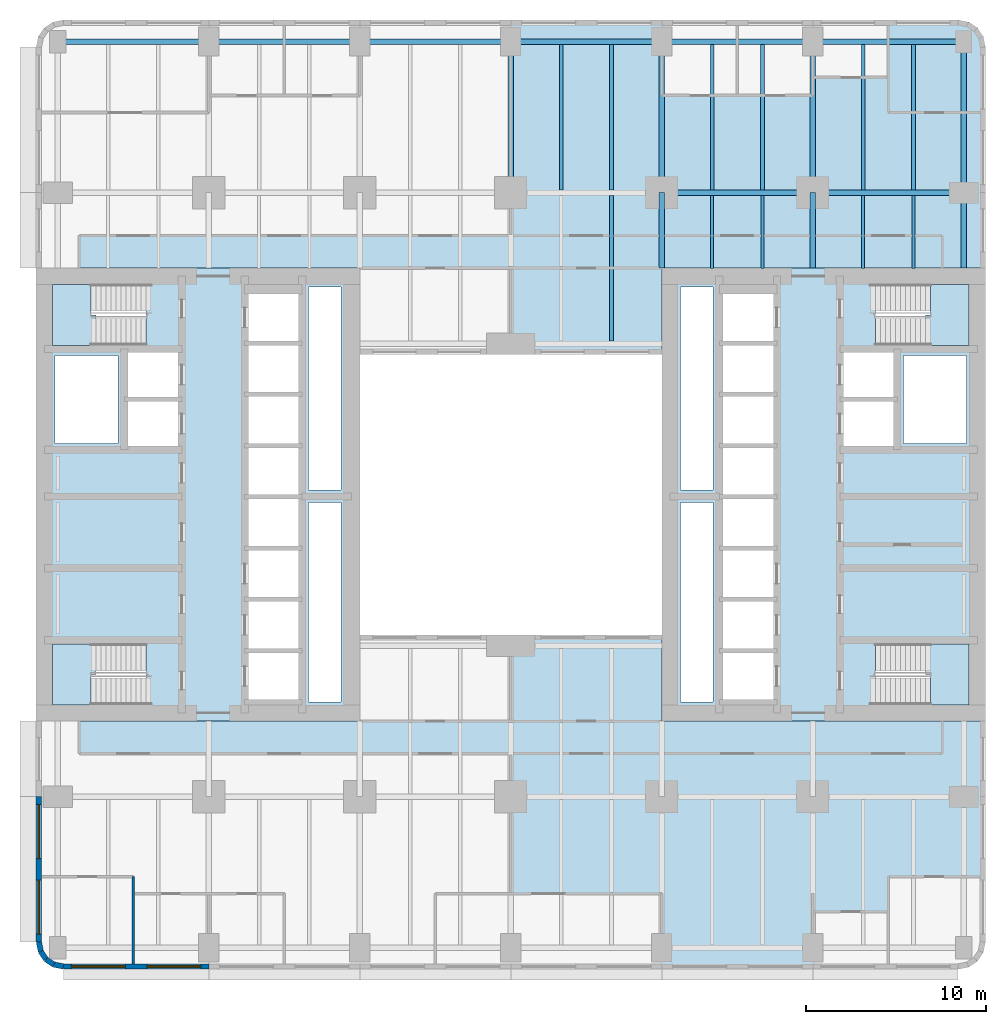
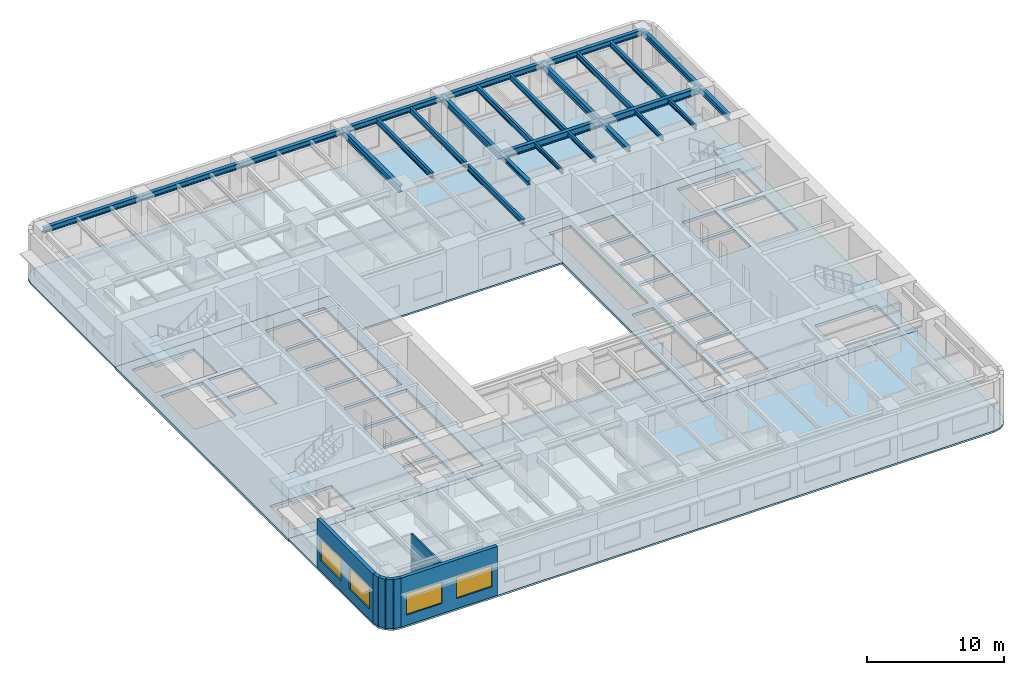
# One storey, part 2 of 12: 26 beams, 8 slabs, 7 walls, 4 windows, 4 openings, 4 elements without a shape of their own.
"""IFC4 building model written with IfcOpenShell, lengths in metres."""

from ifc_helpers import new_model, si_unit, direction, frame, frame_2d, origin, origin_2d, place, context, subcontext, project, spatial, polyline, rectangle, i_section, outline, extrude, material, layer, layer_set, material_profile, profile_set, type_object, element, fill, aggregate, save


model = new_model("IFC4")

# Units and contexts
model_context = context("Model", 3, precision=1e-05, world=origin(), true_north=direction((0.0, 1.0)))
body_context = subcontext(model_context, "Body", "Model", "MODEL_VIEW")
ifc_project = project(units=[si_unit("LENGTHUNIT", "METRE"), si_unit("AREAUNIT", "SQUARE_METRE"), si_unit("VOLUMEUNIT", "CUBIC_METRE"), si_unit("PLANEANGLEUNIT", "RADIAN"), si_unit("MASSUNIT", "GRAM", prefix="KILO")], contexts=[model_context])

# Site, building, storey
site_placement = place(None, origin())
site = spatial("IfcSite", under=ifc_project, at=site_placement, CompositionType="ELEMENT")
building_placement = place(site_placement, origin())
building = spatial("IfcBuilding", under=site, at=building_placement, Name="Claustro Exchange Tower", CompositionType="ELEMENT")
storey_placement = place(building_placement, frame((0.0, 0.0, 45.89990234375)))
storey = spatial("IfcBuildingStorey", under=building, at=storey_placement, Name="L10", CompositionType="ELEMENT", Elevation=45.89990234375)

# Beams
ifc_material_1 = material(Name="Steel S355", Category="steel")
ifc_material_profile_1 = material_profile(ifc_material_1, i_section(OverallWidth=0.300048828125, OverallDepth=0.60009765625, WebThickness=0.015380859375, FlangeThickness=0.030029296875, FilletRadius=0.027099609375, at=origin_2d()), Name="HE 600 B")
ifc_profile_set_1 = profile_set([ifc_material_profile_1], Name="Steel S355")
beam_type_1 = type_object("IfcBeamType", Name="B1 HE 600 B floor girder", PredefinedType="BEAM", material=ifc_profile_set_1)
for number, where, z_axis, x_axis, name in (
    (1, (25.199951171875, 42.0, 4.0400390625), (0.0, 1.0, 0.0), (-1.0, 0.0, 0.0), "Beam B1 L11"),
    (2, (33.60009765625, 42.0, 4.0400390625), (0.0, 1.0, 0.0), (-1.0, 0.0, 0.0), "Beam B1 L11"),
    (3, (42.0, 42.0, 4.0400390625), (0.0, 1.0, 0.0), (-1.0, 0.0, 0.0), "Beam B1 L11"),
    (4, (33.60009765625, 42.0, 4.0400390625), (1.0, 0.0, 0.0), (0.0, 1.0, 0.0), "Beam B1 L11"),
    (5, (42.0, 42.0, 4.0400390625), (1.0, 0.0, 0.0), (0.0, 1.0, 0.0), "Beam B1 L11"),
):
    element("IfcBeam", number, at=place(storey_placement, frame(where, z_axis=z_axis, x_axis=x_axis)), inside=storey, type_object=beam_type_1, Name=name, PredefinedType="BEAM", context=body_context, shape_type="SweptSolid", body=[
        extrude(i_section(OverallWidth=0.300048828125, OverallDepth=0.60009765625, WebThickness=0.015380859375, FlangeThickness=0.030029296875, FilletRadius=0.027099609375, at=origin_2d()), origin(), (0.0, 0.0, 1.0), 8.39990234375),
    ])
ifc_material_2 = material(Name="Steel S355", Category="steel")
ifc_material_profile_2 = material_profile(ifc_material_2, i_section(OverallWidth=0.169921875, OverallDepth=0.360107421875, WebThickness=0.008056640625, FlangeThickness=0.0126953125, FilletRadius=0.01806640625, at=origin_2d()), Name="IPE 360")
ifc_profile_set_2 = profile_set([ifc_material_profile_2], Name="Steel S355")
beam_type_2 = type_object("IfcBeamType", Name="B16 IPE 360 short-span beam", PredefinedType="BEAM", material=ifc_profile_set_2)
for number, where, z_axis, x_axis, name in (
    (6, (36.39990234375, 37.7900390625, 4.16015625), (0.0, 1.0, 0.0), (-1.0, 0.0, 0.0), "Beam B16 L11"),
    (7, (39.199951171875, 37.7900390625, 4.16015625), (0.0, 1.0, 0.0), (-1.0, 0.0, 0.0), "Beam B16 L11"),
    (8, (44.800048828125, 37.7900390625, 4.16015625), (0.0, 1.0, 0.0), (-1.0, 0.0, 0.0), "Beam B16 L11"),
    (9, (47.60009765625, 37.7900390625, 4.16015625), (0.0, 1.0, 0.0), (-1.0, 0.0, 0.0), "Beam B16 L11"),
):
    element("IfcBeam", number, at=place(storey_placement, frame(where, z_axis=z_axis, x_axis=x_axis)), inside=storey, type_object=beam_type_2, Name=name, PredefinedType="BEAM", context=body_context, shape_type="SweptSolid", body=[
        extrude(i_section(OverallWidth=0.169921875, OverallDepth=0.360107421875, WebThickness=0.008056640625, FlangeThickness=0.0126953125, FilletRadius=0.01806640625, at=origin_2d()), origin(), (0.0, 0.0, 1.0), 4.06005859375),
    ])
ifc_material_3 = material(Name="Steel S355", Category="steel")
ifc_material_profile_3 = material_profile(ifc_material_3, i_section(OverallWidth=0.199951171875, OverallDepth=0.5, WebThickness=0.01025390625, FlangeThickness=0.01611328125, FilletRadius=0.02099609375, at=origin_2d()), Name="IPE 500")
ifc_profile_set_3 = profile_set([ifc_material_profile_3], Name="Steel S355")
beam_type_3 = type_object("IfcBeamType", Name="B2 IPE 500 secondary beam", PredefinedType="BEAM", material=ifc_profile_set_3)
for number, where, z_axis, x_axis, name in (
    (10, (30.800048828125, 33.75, 4.090087890625), (0.0, 1.0, 0.0), (-1.0, 0.0, 0.0), "Beam B2 L11"),
    (11, (28.0, 42.14990234375, 4.090087890625), (0.0, 1.0, 0.0), (-1.0, 0.0, 0.0), "Beam B2 L11"),
    (12, (30.800048828125, 42.14990234375, 4.090087890625), (0.0, 1.0, 0.0), (-1.0, 0.0, 0.0), "Beam B2 L11"),
    (13, (36.39990234375, 42.14990234375, 4.090087890625), (0.0, 1.0, 0.0), (-1.0, 0.0, 0.0), "Beam B2 L11"),
    (14, (39.199951171875, 42.14990234375, 4.090087890625), (0.0, 1.0, 0.0), (-1.0, 0.0, 0.0), "Beam B2 L11"),
    (15, (44.800048828125, 42.14990234375, 4.090087890625), (0.0, 1.0, 0.0), (-1.0, 0.0, 0.0), "Beam B2 L11"),
    (16, (47.60009765625, 42.14990234375, 4.090087890625), (0.0, 1.0, 0.0), (-1.0, 0.0, 0.0), "Beam B2 L11"),
):
    element("IfcBeam", number, at=place(storey_placement, frame(where, z_axis=z_axis, x_axis=x_axis)), inside=storey, type_object=beam_type_3, Name=name, PredefinedType="BEAM", context=body_context, shape_type="SweptSolid", body=[
        extrude(i_section(OverallWidth=0.199951171875, OverallDepth=0.5, WebThickness=0.01025390625, FlangeThickness=0.01611328125, FilletRadius=0.02099609375, at=origin_2d()), origin(), (0.0, 0.0, 1.0), 8.10009765625),
    ])
ifc_material_4 = material(Name="Steel S355", Category="steel")
ifc_material_profile_4 = material_profile(ifc_material_4, i_section(OverallWidth=0.300048828125, OverallDepth=0.360107421875, WebThickness=0.012451171875, FlangeThickness=0.0224609375, FilletRadius=0.027099609375, at=origin_2d()), Name="HE 360 B")
ifc_profile_set_4 = profile_set([ifc_material_profile_4], Name="Steel S355")
beam_type_4 = type_object("IfcBeamType", Name="B29 HE 360 B column to core link beam", PredefinedType="BEAM", material=ifc_profile_set_4)
for number, where, z_axis, x_axis, name in (
    (17, (33.60009765625, 37.800048828125, 4.16015625), (0.0, 1.0, 0.0), (-1.0, 0.0, 0.0), "Beam B29 L11"),
    (18, (42.0, 37.800048828125, 4.16015625), (0.0, 1.0, 0.0), (-1.0, 0.0, 0.0), "Beam B29 L11"),
):
    element("IfcBeam", number, at=place(storey_placement, frame(where, z_axis=z_axis, x_axis=x_axis)), inside=storey, type_object=beam_type_4, Name=name, PredefinedType="BEAM", context=body_context, shape_type="SweptSolid", body=[
        extrude(i_section(OverallWidth=0.300048828125, OverallDepth=0.360107421875, WebThickness=0.012451171875, FlangeThickness=0.0224609375, FilletRadius=0.027099609375, at=origin_2d()), origin(), (0.0, 0.0, 1.0), 4.199951171875),
    ])
ifc_material_5 = material(Name="Steel S355", Category="steel")
ifc_material_profile_5 = material_profile(ifc_material_5, i_section(OverallWidth=0.300048828125, OverallDepth=0.5, WebThickness=0.014404296875, FlangeThickness=0.028076171875, FilletRadius=0.027099609375, at=origin_2d()), Name="HE 500 B")
ifc_profile_set_5 = profile_set([ifc_material_profile_5], Name="Steel S355")
beam_type_5 = type_object("IfcBeamType", Name="B3 HE 500 B spandrel edge girder", PredefinedType="SPANDREL", material=ifc_profile_set_5)
beam_1_placement = place(storey_placement, frame((50.39990234375, 37.800048828125, 4.090087890625), z_axis=(0.0, 1.0, 0.0), x_axis=(-1.0, 0.0, 0.0)))
element("IfcBeam", 19, at=beam_1_placement, inside=storey, type_object=beam_type_5, Name="Beam B3 L11", PredefinedType="SPANDREL", context=body_context, shape_type="SweptSolid", body=[
    extrude(i_section(OverallWidth=0.300048828125, OverallDepth=0.5, WebThickness=0.014404296875, FlangeThickness=0.028076171875, FilletRadius=0.027099609375, at=origin_2d()), origin(), (0.0, 0.0, 1.0), 4.199951171875),
])
for number, where, z_axis, x_axis, name in (
    (20, (50.39990234375, 42.0, 4.090087890625), (0.0, 1.0, 0.0), (-1.0, 0.0, 0.0), "Beam B3 L11"),
    (21, (0.0, 50.39990234375, 4.090087890625), (1.0, 0.0, 0.0), (0.0, 1.0, 0.0), "Beam B3 L11"),
):
    element("IfcBeam", number, at=place(storey_placement, frame(where, z_axis=z_axis, x_axis=x_axis)), inside=storey, type_object=beam_type_5, Name=name, PredefinedType="SPANDREL", context=body_context, shape_type="SweptSolid", body=[
        extrude(i_section(OverallWidth=0.300048828125, OverallDepth=0.5, WebThickness=0.014404296875, FlangeThickness=0.028076171875, FilletRadius=0.027099609375, at=origin_2d()), origin(), (0.0, 0.0, 1.0), 8.39990234375),
    ])
beam_2_placement = place(storey_placement, frame((8.39990234375, 50.39990234375, 4.090087890625), z_axis=(1.0, 0.0, 0.0), x_axis=(0.0, 1.0, 0.0)))
element("IfcBeam", 22, at=beam_2_placement, inside=storey, type_object=beam_type_5, Name="Beam B3 L11", PredefinedType="SPANDREL", context=body_context, shape_type="SweptSolid", body=[
    extrude(i_section(OverallWidth=0.300048828125, OverallDepth=0.5, WebThickness=0.014404296875, FlangeThickness=0.028076171875, FilletRadius=0.027099609375, at=origin_2d()), origin(), (0.0, 0.0, 1.0), 8.400146484375),
])
beam_3_placement = place(storey_placement, frame((16.800048828125, 50.39990234375, 4.090087890625), z_axis=(1.0, 0.0, 0.0), x_axis=(0.0, 1.0, 0.0)))
element("IfcBeam", 23, at=beam_3_placement, inside=storey, type_object=beam_type_5, Name="Beam B3 L11", PredefinedType="SPANDREL", context=body_context, shape_type="SweptSolid", body=[
    extrude(i_section(OverallWidth=0.300048828125, OverallDepth=0.5, WebThickness=0.014404296875, FlangeThickness=0.028076171875, FilletRadius=0.027099609375, at=origin_2d()), origin(), (0.0, 0.0, 1.0), 8.39990234375),
])
beam_4_placement = place(storey_placement, frame((25.199951171875, 50.39990234375, 4.090087890625), z_axis=(1.0, 0.0, 0.0), x_axis=(0.0, 1.0, 0.0)))
element("IfcBeam", 24, at=beam_4_placement, inside=storey, type_object=beam_type_5, Name="Beam B3 L11", PredefinedType="SPANDREL", context=body_context, shape_type="SweptSolid", body=[
    extrude(i_section(OverallWidth=0.300048828125, OverallDepth=0.5, WebThickness=0.014404296875, FlangeThickness=0.028076171875, FilletRadius=0.027099609375, at=origin_2d()), origin(), (0.0, 0.0, 1.0), 8.400146484375),
])
for number, where, z_axis, x_axis, name in (
    (25, (33.60009765625, 50.39990234375, 4.090087890625), (1.0, 0.0, 0.0), (0.0, 1.0, 0.0), "Beam B3 L11"),
    (26, (42.0, 50.39990234375, 4.090087890625), (1.0, 0.0, 0.0), (0.0, 1.0, 0.0), "Beam B3 L11"),
):
    element("IfcBeam", number, at=place(storey_placement, frame(where, z_axis=z_axis, x_axis=x_axis)), inside=storey, type_object=beam_type_5, Name=name, PredefinedType="SPANDREL", context=body_context, shape_type="SweptSolid", body=[
        extrude(i_section(OverallWidth=0.300048828125, OverallDepth=0.5, WebThickness=0.014404296875, FlangeThickness=0.028076171875, FilletRadius=0.027099609375, at=origin_2d()), origin(), (0.0, 0.0, 1.0), 8.39990234375),
    ])

# Slabs
ifc_material_6 = material(Name="Concrete HA-50 (C50/60)", Category="concrete")
ifc_layer_1 = layer(ifc_material_6, 0.159912109375)
ifc_layer_set_1 = layer_set([ifc_layer_1], Name="Concrete HA-50 (C50/60)")
slab_type_1 = type_object("IfcSlabType", Name="S1 160 composite floor slab", PredefinedType="FLOOR", material=ifc_layer_set_1)
slab_1_placement = place(storey_placement, frame((0.0, 0.0, -0.159912109375)))
element("IfcSlab", 27, at=slab_1_placement, inside=storey, type_object=slab_type_1, Name="Floor slab S1 S L10", PredefinedType="FLOOR", context=body_context, shape_type="SweptSolid", body=[
    extrude(outline(polyline([(-0.27392578125, -1.085693359375), (0.300048828125, -1.199951171875), (50.10009765625, -1.199951171875), (50.674072265625, -1.085693359375), (51.16064453125, -0.7607421875), (51.48583984375, -0.27392578125), (51.60009765625, 0.300048828125), (51.60009765625, 12.60009765625), (33.60009765625, 12.60009765625), (33.60009765625, 17.39990234375), (16.800048828125, 17.39990234375), (16.800048828125, 12.60009765625), (-1.199951171875, 12.60009765625), (-1.199951171875, 0.300048828125), (-1.085693359375, -0.27392578125), (-0.7607421875, -0.7607421875), (-0.27392578125, -1.085693359375)])), origin(), (0.0, 0.0, 1.0), 0.159912109375),
])
slab_2_placement = place(storey_placement, frame((0.0, 0.0, -0.159912109375)))
element("IfcSlab", 28, at=slab_2_placement, inside=storey, type_object=slab_type_1, Name="Floor slab S1 N L10", PredefinedType="FLOOR", context=body_context, shape_type="SweptSolid", body=[
    extrude(outline(polyline([(16.800048828125, 37.800048828125), (16.800048828125, 33.0), (33.60009765625, 33.0), (33.60009765625, 37.800048828125), (51.60009765625, 37.800048828125), (51.60009765625, 50.10009765625), (51.48583984375, 50.674072265625), (51.16064453125, 51.16064453125), (50.674072265625, 51.48583984375), (50.10009765625, 51.60009765625), (0.300048828125, 51.60009765625), (-0.27392578125, 51.48583984375), (-0.7607421875, 51.16064453125), (-1.085693359375, 50.674072265625), (-1.199951171875, 50.10009765625), (-1.199951171875, 37.800048828125), (16.800048828125, 37.800048828125)])), origin(), (0.0, 0.0, 1.0), 0.159912109375),
])
ifc_material_7 = material(Name="Concrete HA-50 (C50/60)", Category="concrete")
ifc_layer_2 = layer(ifc_material_7, 0.25)
ifc_layer_set_2 = layer_set([ifc_layer_2], Name="Concrete HA-50 (C50/60)")
slab_type_2 = type_object("IfcSlabType", Name="S7 250 core floor slab", PredefinedType="FLOOR", material=ifc_layer_set_2)
slab_3_placement = place(storey_placement, frame((0.0, 0.0, -0.25)))
element("IfcSlab", 29, at=slab_3_placement, inside=storey, type_object=slab_type_2, Name="Core floor slab S7 W core L10", PredefinedType="FLOOR", context=body_context, shape_type="SweptSolid", body=[
    extrude(outline(polyline([(-1.199951171875, 12.60009765625), (16.800048828125, 12.60009765625), (16.800048828125, 37.800048828125), (-1.199951171875, 37.800048828125), (-1.199951171875, 12.60009765625)]), holes=[polyline([(15.75, 24.75), (15.75, 13.64990234375), (13.949951171875, 13.64990234375), (13.949951171875, 24.75), (15.75, 24.75)]), polyline([(15.75, 36.75), (15.75, 25.449951171875), (13.949951171875, 25.449951171875), (13.949951171875, 36.75), (15.75, 36.75)]), polyline([(10.60009765625, 16.39990234375), (13.39990234375, 16.39990234375), (13.39990234375, 13.800048828125), (10.60009765625, 13.800048828125), (10.60009765625, 16.39990234375)]), polyline([(13.39990234375, 19.25), (13.39990234375, 16.64990234375), (10.60009765625, 16.64990234375), (10.60009765625, 19.25), (13.39990234375, 19.25)]), polyline([(13.39990234375, 22.10009765625), (13.39990234375, 19.5), (10.60009765625, 19.5), (10.60009765625, 22.10009765625), (13.39990234375, 22.10009765625)]), polyline([(13.39990234375, 24.949951171875), (13.39990234375, 22.35009765625), (10.60009765625, 22.35009765625), (10.60009765625, 24.949951171875), (13.39990234375, 24.949951171875)]), polyline([(13.39990234375, 27.800048828125), (13.39990234375, 25.199951171875), (10.60009765625, 25.199951171875), (10.60009765625, 27.800048828125), (13.39990234375, 27.800048828125)]), polyline([(13.39990234375, 30.64990234375), (13.39990234375, 28.050048828125), (10.60009765625, 28.050048828125), (10.60009765625, 30.64990234375), (13.39990234375, 30.64990234375)]), polyline([(13.39990234375, 33.5), (13.39990234375, 30.89990234375), (10.60009765625, 30.89990234375), (10.60009765625, 33.5), (13.39990234375, 33.5)]), polyline([(13.39990234375, 36.35009765625), (13.39990234375, 33.75), (10.60009765625, 33.75), (10.60009765625, 36.35009765625), (13.39990234375, 36.35009765625)]), polyline([(6.699951171875, 30.375), (6.699951171875, 27.89990234375), (3.89990234375, 27.89990234375), (3.89990234375, 30.375), (6.699951171875, 30.375)]), polyline([(6.699951171875, 33.10009765625), (6.699951171875, 30.625), (3.89990234375, 30.625), (3.89990234375, 33.10009765625), (6.699951171875, 33.10009765625)]), polyline([(-0.300048828125, 15.199951171875), (-0.300048828125, 16.89990234375), (4.9150390625, 16.89990234375), (4.9150390625, 15.199951171875), (4.919921875, 15.199951171875), (4.919921875, 13.5), (-0.300048828125, 13.5), (-0.300048828125, 15.199951171875)]), polyline([(-0.300048828125, 36.89990234375), (4.919921875, 36.89990234375), (4.919921875, 35.199951171875), (4.9150390625, 35.199951171875), (4.9150390625, 33.5), (-0.300048828125, 33.5), (-0.300048828125, 35.199951171875), (-0.300048828125, 36.89990234375)]), polyline([(3.35009765625, 32.949951171875), (3.35009765625, 28.050048828125), (-0.14990234375, 28.050048828125), (-0.14990234375, 32.949951171875), (3.35009765625, 32.949951171875)])]), origin(), (0.0, 0.0, 1.0), 0.25),
])
slab_4_placement = place(storey_placement, frame((0.0, 0.0, -0.25)))
element("IfcSlab", 30, at=slab_4_placement, inside=storey, type_object=slab_type_2, Name="Core floor slab S7 E core L10", PredefinedType="FLOOR", context=body_context, shape_type="SweptSolid", body=[
    extrude(outline(polyline([(33.60009765625, 12.60009765625), (51.60009765625, 12.60009765625), (51.60009765625, 37.800048828125), (33.60009765625, 37.800048828125), (33.60009765625, 12.60009765625)]), holes=[polyline([(45.47998046875, 35.199951171875), (45.47998046875, 36.89990234375), (50.699951171875, 36.89990234375), (50.699951171875, 35.199951171875), (50.699951171875, 33.5), (45.485107421875, 33.5), (45.485107421875, 35.199951171875), (45.47998046875, 35.199951171875)]), polyline([(45.485107421875, 15.199951171875), (45.485107421875, 16.89990234375), (50.699951171875, 16.89990234375), (50.699951171875, 15.199951171875), (50.699951171875, 13.5), (45.47998046875, 13.5), (45.47998046875, 15.199951171875), (45.485107421875, 15.199951171875)]), polyline([(50.550048828125, 32.949951171875), (50.550048828125, 28.050048828125), (47.050048828125, 28.050048828125), (47.050048828125, 32.949951171875), (50.550048828125, 32.949951171875)]), polyline([(46.5, 30.375), (46.5, 27.89990234375), (43.699951171875, 27.89990234375), (43.699951171875, 30.375), (46.5, 30.375)]), polyline([(46.5, 33.10009765625), (46.5, 30.625), (43.699951171875, 30.625), (43.699951171875, 33.10009765625), (46.5, 33.10009765625)]), polyline([(37.0, 16.39990234375), (39.800048828125, 16.39990234375), (39.800048828125, 13.800048828125), (37.0, 13.800048828125), (37.0, 16.39990234375)]), polyline([(39.800048828125, 19.25), (39.800048828125, 16.64990234375), (37.0, 16.64990234375), (37.0, 19.25), (39.800048828125, 19.25)]), polyline([(39.800048828125, 22.10009765625), (39.800048828125, 19.5), (37.0, 19.5), (37.0, 22.10009765625), (39.800048828125, 22.10009765625)]), polyline([(39.800048828125, 24.949951171875), (39.800048828125, 22.35009765625), (37.0, 22.35009765625), (37.0, 24.949951171875), (39.800048828125, 24.949951171875)]), polyline([(39.800048828125, 27.800048828125), (39.800048828125, 25.199951171875), (37.0, 25.199951171875), (37.0, 27.800048828125), (39.800048828125, 27.800048828125)]), polyline([(39.800048828125, 30.64990234375), (39.800048828125, 28.050048828125), (37.0, 28.050048828125), (37.0, 30.64990234375), (39.800048828125, 30.64990234375)]), polyline([(39.800048828125, 33.5), (39.800048828125, 30.89990234375), (37.0, 30.89990234375), (37.0, 33.5), (39.800048828125, 33.5)]), polyline([(39.800048828125, 36.35009765625), (39.800048828125, 33.75), (37.0, 33.75), (37.0, 36.35009765625), (39.800048828125, 36.35009765625)]), polyline([(36.449951171875, 24.75), (36.449951171875, 13.64990234375), (34.64990234375, 13.64990234375), (34.64990234375, 24.75), (36.449951171875, 24.75)]), polyline([(36.449951171875, 36.75), (36.449951171875, 25.449951171875), (34.64990234375, 25.449951171875), (34.64990234375, 36.75), (36.449951171875, 36.75)])]), origin(), (0.0, 0.0, 1.0), 0.25),
])

# Stair, slab
ifc_material_8 = material(Name="Concrete HA-30 (C30/37), precast", Category="concrete")
stair_type = type_object("IfcStairType", Name="ST2 half-turn stair, 25 risers of 180", PredefinedType="HALF_TURN_STAIR", material=ifc_material_8)
stair_1_placement = place(storey_placement, origin())
stair_1 = element("IfcStair", 31, at=stair_1_placement, inside=storey, type_object=stair_type, Name="Stair STWA L10", PredefinedType="HALF_TURN_STAIR")
ifc_material_9 = material(Name="Concrete HA-30 (C30/37), precast", Category="concrete")
ifc_layer_3 = layer(ifc_material_9, 0.199951171875)
ifc_layer_set_3 = layer_set([ifc_layer_3], Name="Concrete HA-30 (C30/37), precast")
slab_type_3 = type_object("IfcSlabType", Name="S9 200 stair landing", PredefinedType="LANDING", material=ifc_layer_set_3)
slab_5_placement = place(storey_placement, frame((0.0, 0.0, 2.14013671875)))
slab_5 = element("IfcSlab", 32, at=slab_5_placement, type_object=slab_type_3, Name="STWA landing 1", PredefinedType="LANDING", context=body_context, shape_type="SweptSolid", body=[
    extrude(outline(polyline([(1.844970703125, 13.5), (-0.300048828125, 13.5), (-0.300048828125, 16.89990234375), (1.840087890625, 16.89990234375), (1.844970703125, 16.89990234375), (2.1201171875, 16.89990234375), (2.1201171875, 15.199951171875), (1.844970703125, 15.199951171875), (1.844970703125, 13.5)])), origin(), (0.0, 0.0, 1.0), 0.199951171875),
])
aggregate(stair_1, [slab_5])

stair_2_placement = place(storey_placement, origin())
stair_2 = element("IfcStair", 33, at=stair_2_placement, inside=storey, type_object=stair_type, Name="Stair STWB L10", PredefinedType="HALF_TURN_STAIR")
slab_6_placement = place(storey_placement, frame((0.0, 0.0, 2.14013671875)))
slab_6 = element("IfcSlab", 34, at=slab_6_placement, type_object=slab_type_3, Name="STWB landing 1", PredefinedType="LANDING", context=body_context, shape_type="SweptSolid", body=[
    extrude(outline(polyline([(2.1201171875, 35.199951171875), (2.1201171875, 33.5), (1.844970703125, 33.5), (1.840087890625, 33.5), (-0.300048828125, 33.5), (-0.300048828125, 36.89990234375), (1.844970703125, 36.89990234375), (1.844970703125, 35.199951171875), (2.1201171875, 35.199951171875)])), origin(), (0.0, 0.0, 1.0), 0.199951171875),
])
aggregate(stair_2, [slab_6])

stair_3_placement = place(storey_placement, origin())
stair_3 = element("IfcStair", 35, at=stair_3_placement, inside=storey, type_object=stair_type, Name="Stair STEA L10", PredefinedType="HALF_TURN_STAIR")
slab_7_placement = place(storey_placement, frame((0.0, 0.0, 2.14013671875)))
slab_7 = element("IfcSlab", 36, at=slab_7_placement, type_object=slab_type_3, Name="STEA landing 1", PredefinedType="LANDING", context=body_context, shape_type="SweptSolid", body=[
    extrude(outline(polyline([(50.699951171875, 16.89990234375), (50.699951171875, 13.5), (48.554931640625, 13.5), (48.554931640625, 15.199951171875), (48.280029296875, 15.199951171875), (48.280029296875, 16.89990234375), (48.554931640625, 16.89990234375), (48.56005859375, 16.89990234375), (50.699951171875, 16.89990234375)])), origin(), (0.0, 0.0, 1.0), 0.199951171875),
])
aggregate(stair_3, [slab_7])

stair_4_placement = place(storey_placement, origin())
stair_4 = element("IfcStair", 37, at=stair_4_placement, inside=storey, type_object=stair_type, Name="Stair STEB L10", PredefinedType="HALF_TURN_STAIR")
slab_8_placement = place(storey_placement, frame((0.0, 0.0, 2.14013671875)))
slab_8 = element("IfcSlab", 38, at=slab_8_placement, type_object=slab_type_3, Name="STEB landing 1", PredefinedType="LANDING", context=body_context, shape_type="SweptSolid", body=[
    extrude(outline(polyline([(48.280029296875, 33.5), (48.280029296875, 35.199951171875), (48.554931640625, 35.199951171875), (48.554931640625, 36.89990234375), (50.699951171875, 36.89990234375), (50.699951171875, 33.5), (48.56005859375, 33.5), (48.554931640625, 33.5), (48.280029296875, 33.5)])), origin(), (0.0, 0.0, 1.0), 0.199951171875),
])
aggregate(stair_4, [slab_8])

# Wall
ifc_material_10 = material(Name="Gypsum board on steel studs", Category="steel")
ifc_layer_4 = layer(ifc_material_10, 0.14990234375)
ifc_layer_set_4 = layer_set([ifc_layer_4], Name="Gypsum board on steel studs")
wall_type_1 = type_object("IfcWallType", Name="P1 150 plasterboard partition", PredefinedType="PARTITIONING", material=ifc_layer_set_4)
wall_1_placement = place(storey_placement, frame((4.199951171875, -0.902099609375, 0.0), z_axis=(0.0, 0.0, 1.0), x_axis=(0.0, 1.0, 0.0)))
element("IfcWall", 39, at=wall_1_placement, inside=storey, type_object=wall_type_1, Name="Partition P1 L10", PredefinedType="PARTITIONING", context=body_context, shape_type="SweptSolid", body=[
    extrude(rectangle(XDim=4.85205078125, YDim=0.14990234375, at=frame_2d((2.426025390625, 0.0))), origin(), (0.0, 0.0, 1.0), 3.840087890625),
])

# Wall, openings, windows
ifc_material_11 = material(Name="Concrete HA-40 (C40/50), precast, white cement, acid-etched", Category="concrete")
ifc_layer_5 = layer(ifc_material_11, 0.300048828125)
ifc_layer_set_5 = layer_set([ifc_layer_5], Name="Concrete HA-40 (C40/50), precast, white cement, acid-etched")
wall_type_2 = type_object("IfcWallType", Name="PC1 300 precast concrete pier panel", PredefinedType="SOLIDWALL", material=ifc_layer_set_5)
wall_2_placement = place(storey_placement, frame((8.39990234375, -1.050048828125, 0.0), z_axis=(0.0, 0.0, 1.0), x_axis=(-1.0, 0.0, 0.0)))
wall_2 = element("IfcWall", 40, at=wall_2_placement, inside=storey, type_object=wall_type_2, Name="Precast pier panel PC1 L10", PredefinedType="SOLIDWALL", context=body_context, shape_type="SweptSolid", body=[
    extrude(rectangle(XDim=8.085205078125, YDim=0.300048828125, at=frame_2d((4.04248046875, 0.0))), origin(), (0.0, 0.0, 1.0), 4.340087890625),
])
opening_1_placement = place(wall_2_placement, frame((0.442626953125, 0.0, 0.89990234375)))
opening_1 = element("IfcOpeningElement", 41, at=opening_1_placement, cuts=wall_2, Name="Opening W1", PredefinedType="OPENING", context=body_context, shape_type="SweptSolid", body=[
    extrude(rectangle(XDim=3.0, YDim=1.89990234375, at=frame_2d((1.5, 0.949951171875))), frame((0.0, 0.159912109375, 0.0), z_axis=(0.0, -1.0, 0.0), x_axis=(1.0, 0.0, 0.0)), (0.0, 0.0, 1.0), 0.320068359375),
])
opening_2_placement = place(wall_2_placement, frame((4.642578125, 0.0, 0.89990234375)))
opening_2 = element("IfcOpeningElement", 42, at=opening_2_placement, cuts=wall_2, Name="Opening W1", PredefinedType="OPENING", context=body_context, shape_type="SweptSolid", body=[
    extrude(rectangle(XDim=3.0, YDim=1.89990234375, at=frame_2d((1.5, 0.949951171875))), frame((0.0, 0.159912109375, 0.0), z_axis=(0.0, -1.0, 0.0), x_axis=(1.0, 0.0, 0.0)), (0.0, 0.0, 1.0), 0.320068359375),
])
ifc_material_12 = material(Name="Aluminium frame, clear double glazing", Category="aluminium")
window_type = type_object("IfcWindowType", Name="W1 3000 x 1900 window", PartitioningType="SINGLE_PANEL", PredefinedType="WINDOW", material=ifc_material_12)
window_1_placement = place(opening_1_placement, origin())
window_1 = element("IfcWindow", 43, at=window_1_placement, inside=storey, type_object=window_type, Name="Window W1 L10", OverallHeight=1.89990234375, OverallWidth=3.0, PartitioningType="SINGLE_PANEL", PredefinedType="WINDOW", context=body_context, shape_type="SweptSolid", body=[
    extrude(rectangle(XDim=3.0, YDim=1.89990234375, at=frame_2d((1.5, 0.949951171875))), frame((0.0, 0.030029296875, 0.0), z_axis=(0.0, -1.0, 0.0), x_axis=(1.0, 0.0, 0.0)), (0.0, 0.0, 1.0), 0.06005859375),
])
fill(opening_1, window_1)
window_2_placement = place(opening_2_placement, origin())
window_2 = element("IfcWindow", 44, at=window_2_placement, inside=storey, type_object=window_type, Name="Window W1 L10", OverallHeight=1.89990234375, OverallWidth=3.0, PartitioningType="SINGLE_PANEL", PredefinedType="WINDOW", context=body_context, shape_type="SweptSolid", body=[
    extrude(rectangle(XDim=3.0, YDim=1.89990234375, at=frame_2d((1.5, 0.949951171875))), frame((0.0, 0.030029296875, 0.0), z_axis=(0.0, -1.0, 0.0), x_axis=(1.0, 0.0, 0.0)), (0.0, 0.0, 1.0), 0.06005859375),
])
fill(opening_2, window_2)

# Walls
wall_3_placement = place(storey_placement, frame((0.314697265625, -1.050048828125, 0.0), z_axis=(0.0, 0.0, 1.0), x_axis=(-0.980788534345, 0.195073962632, 0.0)))
element("IfcWall", 45, at=wall_3_placement, inside=storey, type_object=wall_type_2, Name="Precast pier panel PC1 L10", PredefinedType="SOLIDWALL", context=body_context, shape_type="SweptSolid", body=[
    extrude(rectangle(XDim=0.540771484375, YDim=0.300048828125, at=frame_2d((0.2705078125, 0.0))), origin(), (0.0, 0.0, 1.0), 4.340087890625),
])
for number, where, z_axis, x_axis, name in (
    (46, (-0.215576171875, -0.944580078125, 0.0), (0.0, 0.0, 1.0), (-0.831478144188, 0.555557463938, 0.0), "Precast pier panel PC1 L10"),
    (47, (-0.652587890625, -0.652587890625, 0.0), (0.0, 0.0, 1.0), (-0.555557463938, 0.831478144188, 0.0), "Precast pier panel PC1 L10"),
):
    element("IfcWall", number, at=place(storey_placement, frame(where, z_axis=z_axis, x_axis=x_axis)), inside=storey, type_object=wall_type_2, Name=name, PredefinedType="SOLIDWALL", context=body_context, shape_type="SweptSolid", body=[
        extrude(rectangle(XDim=0.525634765625, YDim=0.300048828125, at=frame_2d((0.2626953125, 0.0))), origin(), (0.0, 0.0, 1.0), 4.340087890625),
    ])
wall_4_placement = place(storey_placement, frame((-0.944580078125, -0.215576171875, 0.0), z_axis=(0.0, 0.0, 1.0), x_axis=(-0.195073962632, 0.980788534345, 0.0)))
element("IfcWall", 48, at=wall_4_placement, inside=storey, type_object=wall_type_2, Name="Precast pier panel PC1 L10", PredefinedType="SOLIDWALL", context=body_context, shape_type="SweptSolid", body=[
    extrude(rectangle(XDim=0.540771484375, YDim=0.300048828125, at=frame_2d((0.2705078125, 0.0))), origin(), (0.0, 0.0, 1.0), 4.340087890625),
])

# Wall, openings, windows
wall_5_placement = place(storey_placement, frame((-1.050048828125, 0.314697265625, 0.0), z_axis=(0.0, 0.0, 1.0), x_axis=(0.0, 1.0, 0.0)))
wall_5 = element("IfcWall", 49, at=wall_5_placement, inside=storey, type_object=wall_type_2, Name="Precast pier panel PC1 L10", PredefinedType="SOLIDWALL", context=body_context, shape_type="SweptSolid", body=[
    extrude(rectangle(XDim=8.085205078125, YDim=0.300048828125, at=frame_2d((4.04248046875, 0.0))), origin(), (0.0, 0.0, 1.0), 4.340087890625),
])
opening_3_placement = place(wall_5_placement, frame((0.442626953125, 0.0, 0.89990234375)))
opening_3 = element("IfcOpeningElement", 50, at=opening_3_placement, cuts=wall_5, Name="Opening W1", PredefinedType="OPENING", context=body_context, shape_type="SweptSolid", body=[
    extrude(rectangle(XDim=3.0, YDim=1.89990234375, at=frame_2d((1.5, 0.949951171875))), frame((0.0, 0.159912109375, 0.0), z_axis=(0.0, -1.0, 0.0), x_axis=(1.0, 0.0, 0.0)), (0.0, 0.0, 1.0), 0.320068359375),
])
opening_4_placement = place(wall_5_placement, frame((4.642578125, 0.0, 0.89990234375)))
opening_4 = element("IfcOpeningElement", 51, at=opening_4_placement, cuts=wall_5, Name="Opening W1", PredefinedType="OPENING", context=body_context, shape_type="SweptSolid", body=[
    extrude(rectangle(XDim=3.0, YDim=1.89990234375, at=frame_2d((1.5, 0.949951171875))), frame((0.0, 0.159912109375, 0.0), z_axis=(0.0, -1.0, 0.0), x_axis=(1.0, 0.0, 0.0)), (0.0, 0.0, 1.0), 0.320068359375),
])
window_3_placement = place(opening_3_placement, origin())
window_3 = element("IfcWindow", 52, at=window_3_placement, inside=storey, type_object=window_type, Name="Window W1 L10", OverallHeight=1.89990234375, OverallWidth=3.0, PartitioningType="SINGLE_PANEL", PredefinedType="WINDOW", context=body_context, shape_type="SweptSolid", body=[
    extrude(rectangle(XDim=3.0, YDim=1.89990234375, at=frame_2d((1.5, 0.949951171875))), frame((0.0, 0.030029296875, 0.0), z_axis=(0.0, -1.0, 0.0), x_axis=(1.0, 0.0, 0.0)), (0.0, 0.0, 1.0), 0.06005859375),
])
fill(opening_3, window_3)
window_4_placement = place(opening_4_placement, origin())
window_4 = element("IfcWindow", 53, at=window_4_placement, inside=storey, type_object=window_type, Name="Window W1 L10", OverallHeight=1.89990234375, OverallWidth=3.0, PartitioningType="SINGLE_PANEL", PredefinedType="WINDOW", context=body_context, shape_type="SweptSolid", body=[
    extrude(rectangle(XDim=3.0, YDim=1.89990234375, at=frame_2d((1.5, 0.949951171875))), frame((0.0, 0.030029296875, 0.0), z_axis=(0.0, -1.0, 0.0), x_axis=(1.0, 0.0, 0.0)), (0.0, 0.0, 1.0), 0.06005859375),
])
fill(opening_4, window_4)

save(model, "model.ifc")
